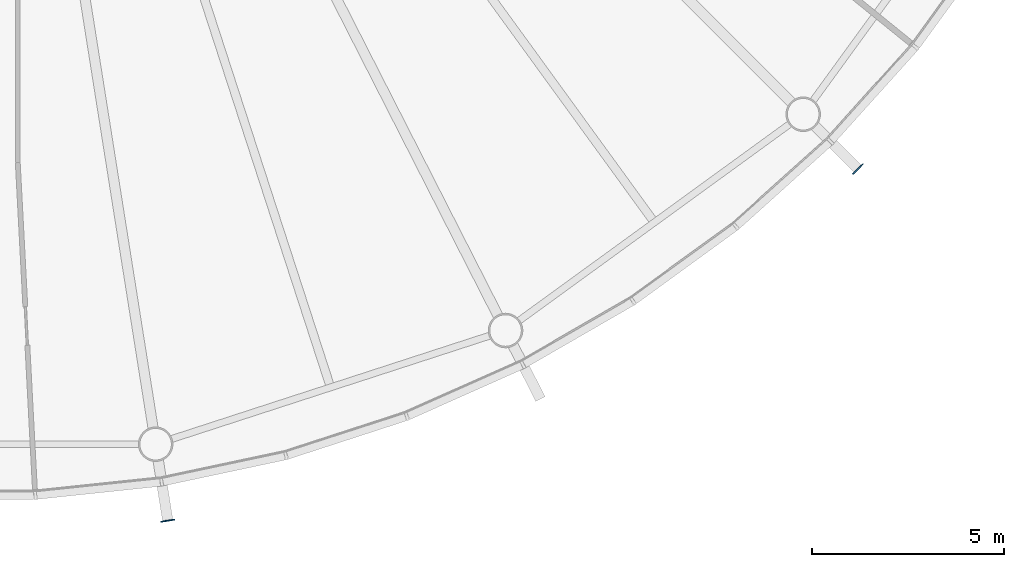
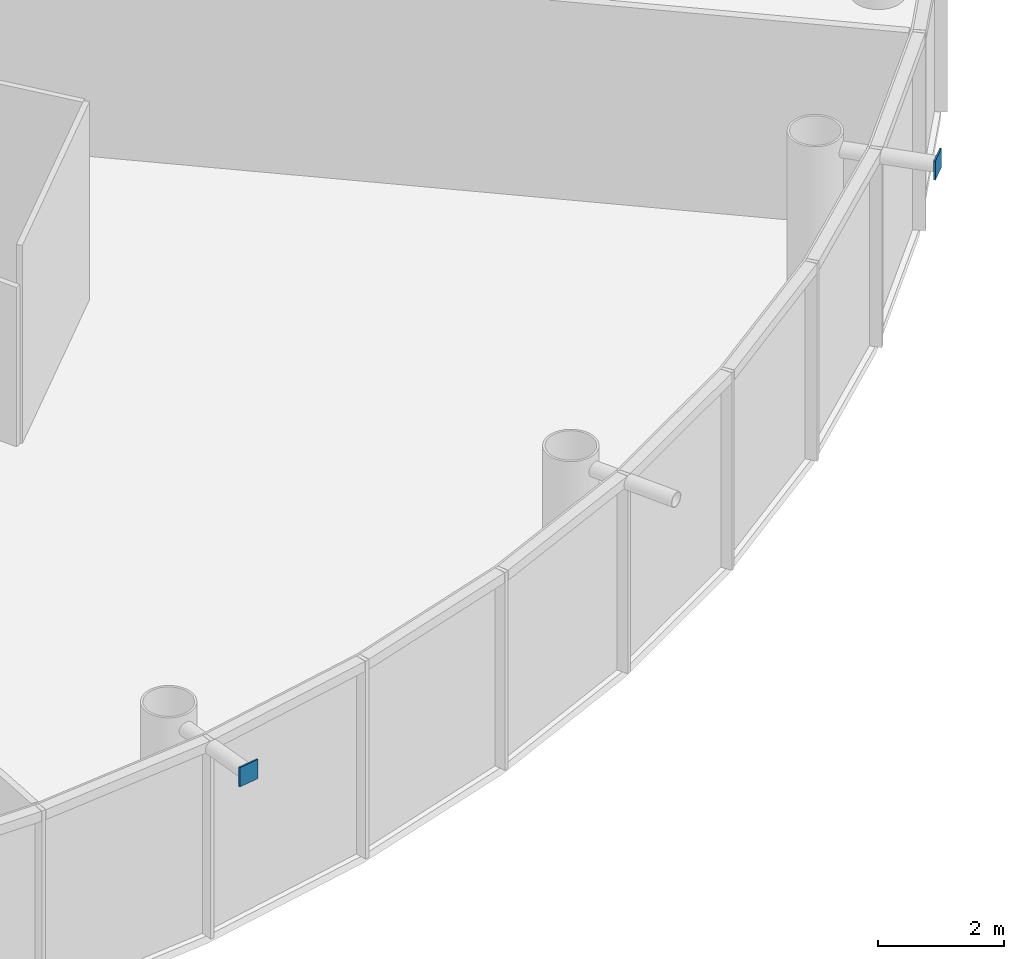
# One storey, part 8 of 18: 2 discrete accessories.
"""IFC4 building model written with IfcOpenShell, lengths in metres."""

from ifc_helpers import new_model, si_unit, direction, frame, origin, origin_2d, place, context, subcontext, project, spatial, rectangle, extrude, material, element, save


model = new_model("IFC4")

# Units and contexts
model_context = context("Model", 3, precision=1e-05, world=origin(), true_north=direction((0.0, 1.0)))
body_context = subcontext(model_context, "Body", "Model", "MODEL_VIEW")
ifc_project = project(units=[si_unit("LENGTHUNIT", "METRE"), si_unit("AREAUNIT", "SQUARE_METRE"), si_unit("VOLUMEUNIT", "CUBIC_METRE"), si_unit("PLANEANGLEUNIT", "RADIAN"), si_unit("MASSUNIT", "GRAM", prefix="KILO")], contexts=[model_context])

# Site, building, storey
site_placement = place(None, origin())
site = spatial("IfcSite", under=ifc_project, at=site_placement, CompositionType="ELEMENT")
building_placement = place(site_placement, origin())
building = spatial("IfcBuilding", under=site, at=building_placement, Name="Entoto Ring Tower", CompositionType="ELEMENT")
storey_placement = place(building_placement, frame((0.0, 0.0, 352.0)))
storey = spatial("IfcBuildingStorey", under=building, at=storey_placement, Name="L81", CompositionType="ELEMENT", Elevation=352.0)

# Discrete accessories
ifc_material = material(Name="Steel S355", Category="steel")
for number, where, z_axis, x_axis, name in (
    (1, (95.10205078125, 47.78662109375, 3.52685546875), (0.0, 0.0, 1.0), (0.15643446504, -0.987688340595, 0.0), "Node strut end plate DS2 ring 26 16"),
    (2, (113.062255859375, 56.937744140625, 3.52685546875), (0.0, 0.0, 1.0), (0.707106781187, -0.707106781187, 0.0), "Node strut end plate DS2 ring 26 18"),
):
    element("IfcDiscreteAccessory", number, at=place(storey_placement, frame(where, z_axis=z_axis, x_axis=x_axis)), inside=storey, material=ifc_material, Name=name, PredefinedType="BRACKET", context=body_context, shape_type="SweptSolid", body=[
        extrude(rectangle(XDim=0.030029296875, YDim=0.373046875, at=origin_2d()), origin(), (0.0, 0.0, 1.0), 0.373046875),
    ])

save(model, "model.ifc")
